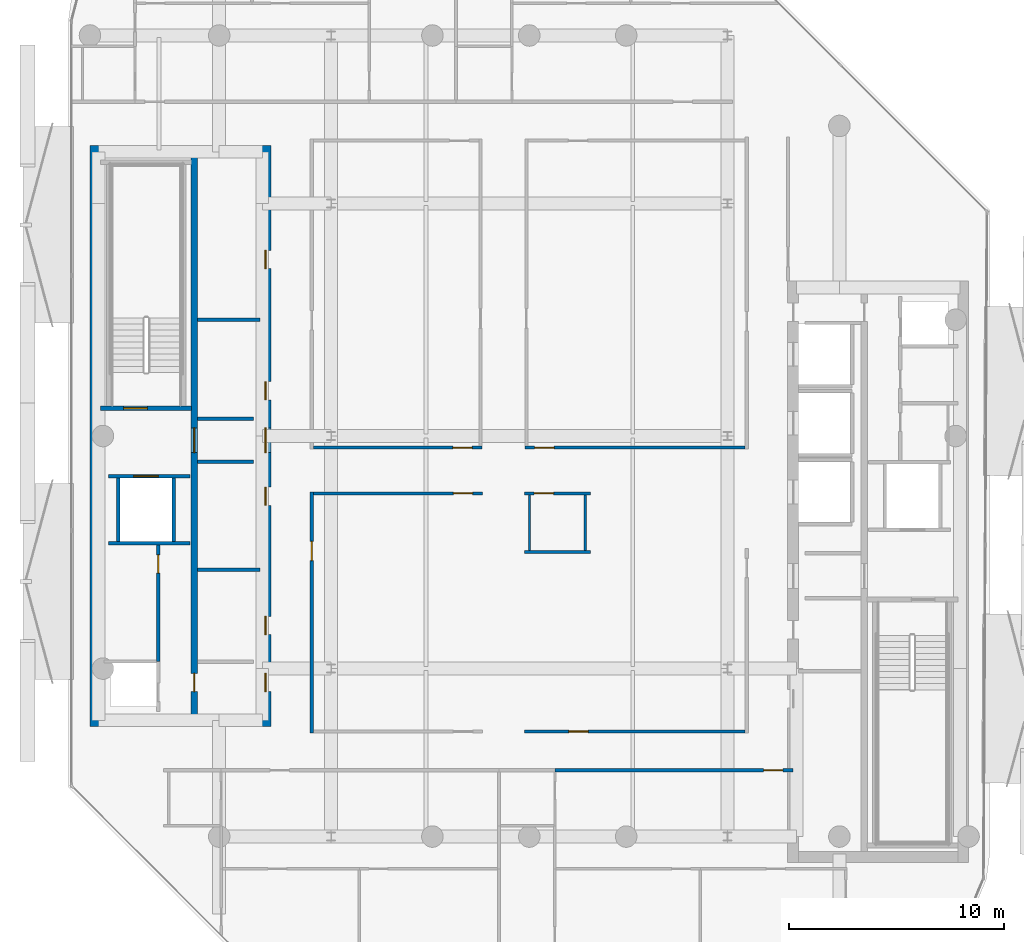
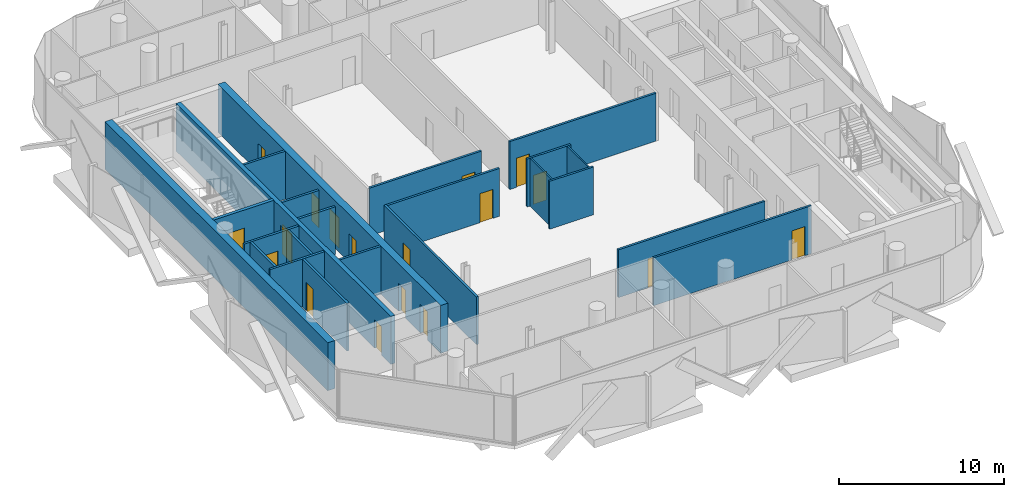
# One storey, part 5 of 16: 23 walls, 18 doors, 18 openings.
"""IFC4 building model written with IfcOpenShell, lengths in metres."""

from ifc_helpers import new_model, si_unit, direction, frame, frame_2d, origin, place, context, subcontext, project, spatial, rectangle, extrude, material, layer, layer_set, type_object, element, fill, save


model = new_model("IFC4")

# Units and contexts
model_context = context("Model", 3, precision=1e-05, world=origin(), true_north=direction((0.0, 1.0)))
body_context = subcontext(model_context, "Body", "Model", "MODEL_VIEW")
ifc_project = project(units=[si_unit("LENGTHUNIT", "METRE"), si_unit("AREAUNIT", "SQUARE_METRE"), si_unit("VOLUMEUNIT", "CUBIC_METRE"), si_unit("PLANEANGLEUNIT", "RADIAN"), si_unit("MASSUNIT", "GRAM", prefix="KILO")], contexts=[model_context])

# Site, building, storey
site_placement = place(None, origin())
site = spatial("IfcSite", under=ifc_project, at=site_placement, CompositionType="ELEMENT")
building_placement = place(site_placement, origin())
building = spatial("IfcBuilding", under=site, at=building_placement, Name="Khairoan Windgate Tower", CompositionType="ELEMENT")
storey_placement = place(building_placement, frame((0.0, 0.0, 300.39990234375)))
storey = spatial("IfcBuildingStorey", under=building, at=storey_placement, Name="L72", CompositionType="ELEMENT", Elevation=300.39990234375)

# Walls
ifc_material_1 = material(Name="Moisture-Resistant Gypsum Partition", Category="gypsum")
ifc_layer_1 = layer(ifc_material_1, 0.10009765625, Name="Moisture-Resistant Gypsum Partition")
ifc_layer_set_1 = layer_set([ifc_layer_1], Name="Moisture-Resistant Gypsum Partition")
wall_type_1 = type_object("IfcWallType", Name="Bathroom Wet-Area Partition Wall", PredefinedType="PARTITIONING", material=ifc_layer_set_1)
for number, where, z_axis, x_axis, name in (
    (1, (2.60009765625, -2.739990234375, 0.0), (0.0, 0.0, 1.0), (0.0, -1.0, 0.0), "L72 Wet Room Side Wall 076"),
    (2, (0.010009765625, -5.31005859375, 0.0), (0.0, 0.0, 1.0), (0.0, 1.0, 0.0), "L72 Wet Room Side Wall 077"),
):
    element("IfcWall", number, at=place(storey_placement, frame(where, z_axis=z_axis, x_axis=x_axis)), inside=storey, type_object=wall_type_1, Name=name, PredefinedType="PARTITIONING", context=body_context, shape_type="SweptSolid", body=[
        extrude(rectangle(XDim=2.570068359375, YDim=0.10009765625, at=frame_2d((1.28515625, 0.0))), origin(), (0.0, 0.0, 1.0), 3.5400390625),
    ])

# Wall, opening, door
ifc_material_2 = material(Name="Concrete C40/50", Category="concrete")
ifc_layer_2 = layer(ifc_material_2, 0.159912109375, Name="Concrete C40/50")
ifc_layer_set_2 = layer_set([ifc_layer_2], Name="Concrete C40/50")
wall_type_2 = type_object("IfcWallType", Name="Core and Hoistway Enclosure Wall", PredefinedType="STANDARD", material=ifc_layer_set_2)
wall_1_placement = place(storey_placement, frame((-19.550048828125, -1.860107421875, 0.0), z_axis=(0.0, 0.0, 1.0), x_axis=(1.0, 0.0, 0.0)))
wall_1 = element("IfcWall", 3, at=wall_1_placement, inside=storey, type_object=wall_type_2, Name="L72 Core Shaft Wall SW-FL2-L72", PredefinedType="STANDARD", context=body_context, shape_type="SweptSolid", body=[
    extrude(rectangle(XDim=3.800048828125, YDim=0.159912109375, at=frame_2d((1.89990234375, 0.0))), origin(), (0.0, 0.0, 1.0), 3.5400390625),
])
opening_1_placement = place(wall_1_placement, frame((1.179931640625, 0.0, 0.0)))
opening_1 = element("IfcOpeningElement", 4, at=opening_1_placement, cuts=wall_1, Name="Opening LD-FL", PredefinedType="OPENING", context=body_context, shape_type="SweptSolid", body=[
    extrude(rectangle(XDim=1.14990234375, YDim=2.199951171875, at=frame_2d((0.574951171875, 1.10009765625))), frame((0.0, 0.08984375, 0.0), z_axis=(0.0, -1.0, 0.0), x_axis=(1.0, 0.0, 0.0)), (0.0, 0.0, 1.0), 0.179931640625),
])
ifc_material_3 = material(Name="Steel S355", Category="steel")
door_type_1 = type_object("IfcDoorType", Name="Firefighting Lift Sliding Landing Door LD-FL 1150x2200", OperationType="DOUBLE_DOOR_SLIDING", PredefinedType="DOOR", material=ifc_material_3)
door_1_placement = place(opening_1_placement, origin())
door_1 = element("IfcDoor", 5, at=door_1_placement, inside=storey, type_object=door_type_1, Name="L72 Firefighting Lift FL2 Landing Door", OperationType="DOUBLE_DOOR_SLIDING", OverallHeight=2.199951171875, OverallWidth=1.14990234375, PredefinedType="DOOR", context=body_context, shape_type="SweptSolid", body=[
    extrude(rectangle(XDim=1.14990234375, YDim=2.199951171875, at=frame_2d((0.574951171875, 1.10009765625))), frame((0.0, 0.02490234375, 0.0), z_axis=(0.0, -1.0, 0.0), x_axis=(1.0, 0.0, 0.0)), (0.0, 0.0, 1.0), 0.050048828125),
])
fill(opening_1, door_1)

# Walls
wall_2_placement = place(storey_placement, frame((-19.550048828125, -4.97998046875, 0.0), z_axis=(0.0, 0.0, 1.0), x_axis=(1.0, 0.0, 0.0)))
element("IfcWall", 6, at=wall_2_placement, inside=storey, type_object=wall_type_2, Name="L72 Core Shaft Wall SW-FL2B-L72", PredefinedType="STANDARD", context=body_context, shape_type="SweptSolid", body=[
    extrude(rectangle(XDim=3.800048828125, YDim=0.159912109375, at=frame_2d((1.89990234375, 0.0))), origin(), (0.0, 0.0, 1.0), 3.5400390625),
])
for number, where, z_axis, x_axis, name in (
    (7, (-19.080078125, -4.89990234375, 0.0), (0.0, 0.0, 1.0), (0.0, 1.0, 0.0), "L72 Core Shaft Wall SW-FL2W-L72"),
    (8, (-16.52001953125, -4.89990234375, 0.0), (0.0, 0.0, 1.0), (0.0, 1.0, 0.0), "L72 Core Shaft Wall SW-FL2E-L72"),
):
    element("IfcWall", number, at=place(storey_placement, frame(where, z_axis=z_axis, x_axis=x_axis)), inside=storey, type_object=wall_type_2, Name=name, PredefinedType="STANDARD", context=body_context, shape_type="SweptSolid", body=[
        extrude(rectangle(XDim=2.9599609375, YDim=0.159912109375, at=frame_2d((1.47998046875, 0.0))), origin(), (0.0, 0.0, 1.0), 3.5400390625),
    ])
for number, where, z_axis, x_axis, name in (
    (9, (-15.39990234375, 0.800048828125, 0.0), (0.0, 0.0, 1.0), (1.0, 0.0, 0.0), "L72 Core Shaft Wall SW-WV1-L72"),
    (10, (-15.39990234375, -1.199951171875, 0.0), (0.0, 0.0, 1.0), (1.0, 0.0, 0.0), "L72 Core Shaft Wall SW-WV2-L72"),
):
    element("IfcWall", number, at=place(storey_placement, frame(where, z_axis=z_axis, x_axis=x_axis)), inside=storey, type_object=wall_type_2, Name=name, PredefinedType="STANDARD", context=body_context, shape_type="SweptSolid", body=[
        extrude(rectangle(XDim=2.599853515625, YDim=0.159912109375, at=frame_2d((1.2998046875, 0.0))), origin(), (0.0, 0.0, 1.0), 3.5400390625),
    ])
ifc_material_4 = material(Name="Acoustic Fire-Rated Gypsum Partition", Category="gypsum")
ifc_layer_3 = layer(ifc_material_4, 0.139892578125, Name="Acoustic Fire-Rated Gypsum Partition")
ifc_layer_set_3 = layer_set([ifc_layer_3], Name="Acoustic Fire-Rated Gypsum Partition")
wall_type_3 = type_object("IfcWallType", Name="Inter-Tenancy Compartment Wall", PredefinedType="PARTITIONING", material=ifc_layer_set_3)
wall_3_placement = place(storey_placement, frame((-0.22998046875, -5.3798828125, 0.0), z_axis=(0.0, 0.0, 1.0), x_axis=(1.0, 0.0, 0.0)))
element("IfcWall", 11, at=wall_3_placement, inside=storey, type_object=wall_type_3, Name="L72 Interior Partition 072", PredefinedType="PARTITIONING", context=body_context, shape_type="SweptSolid", body=[
    extrude(rectangle(XDim=3.070068359375, YDim=0.139892578125, at=frame_2d((1.53515625, 0.0))), origin(), (0.0, 0.0, 1.0), 3.5400390625),
])

# Wall, opening, door
ifc_material_5 = material(Name="Concrete C40/50", Category="concrete")
ifc_layer_4 = layer(ifc_material_5, 0.159912109375, Name="Concrete C40/50")
ifc_layer_set_4 = layer_set([ifc_layer_4], Name="Concrete C40/50")
wall_type_4 = type_object("IfcWallType", Name="Plant and Refuge Compartment Wall", PredefinedType="PARTITIONING", material=ifc_layer_set_4)
wall_4_placement = place(storey_placement, frame((-17.22998046875, -10.469970703125, 0.0), z_axis=(0.0, 0.0, 1.0), x_axis=(0.0, 1.0, 0.0)))
wall_4 = element("IfcWall", 12, at=wall_4_placement, inside=storey, type_object=wall_type_4, Name="L72 Interior Partition 002", PredefinedType="PARTITIONING", context=body_context, shape_type="SweptSolid", body=[
    extrude(rectangle(XDim=5.409912109375, YDim=0.159912109375, at=frame_2d((2.705078125, 0.0))), origin(), (0.0, 0.0, 1.0), 3.5400390625),
])
opening_2_placement = place(wall_4_placement, frame((4.10009765625, 0.0, 0.0)))
opening_2 = element("IfcOpeningElement", 13, at=opening_2_placement, cuts=wall_4, Name="Opening FD-SRV", PredefinedType="OPENING", context=body_context, shape_type="SweptSolid", body=[
    extrude(rectangle(XDim=0.85009765625, YDim=2.10009765625, at=frame_2d((0.425048828125, 1.050048828125))), frame((0.0, 0.08984375, 0.0), z_axis=(0.0, -1.0, 0.0), x_axis=(1.0, 0.0, 0.0)), (0.0, 0.0, 1.0), 0.179931640625),
])
ifc_material_6 = material(Name="Steel S355", Category="steel")
door_type_2 = type_object("IfcDoorType", Name="Core Service and Riser Fire Door FD-SRV 850x2100", OperationType="NOTDEFINED", PredefinedType="DOOR", material=ifc_material_6)
door_2_placement = place(opening_2_placement, origin())
door_2 = element("IfcDoor", 14, at=door_2_placement, inside=storey, type_object=door_type_2, Name="L72 L72-04-L72-06 Door", OperationType="SINGLE_SWING_LEFT", OverallHeight=2.10009765625, OverallWidth=0.85009765625, PredefinedType="DOOR", context=body_context, shape_type="SweptSolid", body=[
    extrude(rectangle(XDim=0.85009765625, YDim=2.10009765625, at=frame_2d((0.425048828125, 1.050048828125))), frame((0.0, 0.02490234375, 0.0), z_axis=(0.0, -1.0, 0.0), x_axis=(1.0, 0.0, 0.0)), (0.0, 0.0, 1.0), 0.050048828125),
])
fill(opening_2, door_2)

# Walls
for number, where, z_axis, x_axis, name in (
    (15, (-15.39990234375, 5.39990234375, 0.0), (0.0, 0.0, 1.0), (1.0, 0.0, 0.0), "L72 Interior Partition 004"),
    (16, (-15.39990234375, -6.199951171875, 0.0), (0.0, 0.0, 1.0), (1.0, 0.0, 0.0), "L72 Interior Partition 005"),
):
    element("IfcWall", number, at=place(storey_placement, frame(where, z_axis=z_axis, x_axis=x_axis)), inside=storey, type_object=wall_type_4, Name=name, PredefinedType="PARTITIONING", context=body_context, shape_type="SweptSolid", body=[
        extrude(rectangle(XDim=2.89990234375, YDim=0.159912109375, at=frame_2d((1.449951171875, 0.0))), origin(), (0.0, 0.0, 1.0), 3.5400390625),
    ])

# Wall, opening, door
ifc_material_7 = material(Name="Acoustic Fire-Rated Gypsum Partition", Category="gypsum")
ifc_layer_5 = layer(ifc_material_7, 0.14990234375, Name="Acoustic Fire-Rated Gypsum Partition")
ifc_layer_set_5 = layer_set([ifc_layer_5], Name="Acoustic Fire-Rated Gypsum Partition")
wall_type_5 = type_object("IfcWallType", Name="Rated Corridor Partition Wall", PredefinedType="PARTITIONING", material=ifc_layer_set_5)
wall_5_placement = place(storey_placement, frame((-10.10009765625, -13.794921875, 0.0), z_axis=(0.0, 0.0, 1.0), x_axis=(0.0, 1.0, 0.0)))
wall_5 = element("IfcWall", 17, at=wall_5_placement, inside=storey, type_object=wall_type_5, Name="L72 Interior Partition 013", PredefinedType="PARTITIONING", context=body_context, shape_type="SweptSolid", body=[
    extrude(rectangle(XDim=11.204833984375, YDim=0.14990234375, at=frame_2d((5.6025390625, 0.0))), origin(), (0.0, 0.0, 1.0), 3.5400390625),
])
opening_3_placement = place(wall_5_placement, frame((8.0087890625, 0.0, 0.0)))
opening_3 = element("IfcOpeningElement", 18, at=opening_3_placement, cuts=wall_5, Name="Opening FD-ENT", PredefinedType="OPENING", context=body_context, shape_type="SweptSolid", body=[
    extrude(rectangle(XDim=0.89990234375, YDim=2.14990234375, at=frame_2d((0.449951171875, 1.074951171875))), frame((0.0, 0.0849609375, 0.0), z_axis=(0.0, -1.0, 0.0), x_axis=(1.0, 0.0, 0.0)), (0.0, 0.0, 1.0), 0.169921875),
])
ifc_material_8 = material(Name="Timber Fire-Rated Core", Category="wood")
door_type_3 = type_object("IfcDoorType", Name="Unit and Office Fire Entrance Door FD-ENT 900x2150", OperationType="NOTDEFINED", PredefinedType="DOOR", material=ifc_material_8)
door_3_placement = place(opening_3_placement, origin())
door_3 = element("IfcDoor", 19, at=door_3_placement, inside=storey, type_object=door_type_3, Name="L72 L72-27-L72-57 Door", OperationType="SINGLE_SWING_RIGHT", OverallHeight=2.14990234375, OverallWidth=0.89990234375, PredefinedType="DOOR", context=body_context, shape_type="SweptSolid", body=[
    extrude(rectangle(XDim=0.89990234375, YDim=2.14990234375, at=frame_2d((0.449951171875, 1.074951171875))), frame((0.0, 0.02490234375, 0.0), z_axis=(0.0, -1.0, 0.0), x_axis=(1.0, 0.0, 0.0)), (0.0, 0.0, 1.0), 0.050048828125),
])
fill(opening_3, door_3)

wall_6_placement = place(storey_placement, frame((-10.02490234375, -0.534912109375, 0.0), z_axis=(0.0, 0.0, 1.0), x_axis=(1.0, 0.0, 0.0)))
wall_6 = element("IfcWall", 20, at=wall_6_placement, inside=storey, type_object=wall_type_5, Name="L72 Interior Partition 017", PredefinedType="PARTITIONING", context=body_context, shape_type="SweptSolid", body=[
    extrude(rectangle(XDim=7.8349609375, YDim=0.14990234375, at=frame_2d((3.91748046875, 0.0))), origin(), (0.0, 0.0, 1.0), 3.5400390625),
])
opening_4_placement = place(wall_6_placement, frame((6.47509765625, 0.0, 0.0)))
opening_4 = element("IfcOpeningElement", 21, at=opening_4_placement, cuts=wall_6, Name="Opening FD-ENT", PredefinedType="OPENING", context=body_context, shape_type="SweptSolid", body=[
    extrude(rectangle(XDim=0.89990234375, YDim=2.14990234375, at=frame_2d((0.449951171875, 1.074951171875))), frame((0.0, 0.0849609375, 0.0), z_axis=(0.0, -1.0, 0.0), x_axis=(1.0, 0.0, 0.0)), (0.0, 0.0, 1.0), 0.169921875),
])
door_4_placement = place(opening_4_placement, origin())
door_4 = element("IfcDoor", 22, at=door_4_placement, inside=storey, type_object=door_type_3, Name="L72 L72-29-L72-56 Door", OperationType="SINGLE_SWING_RIGHT", OverallHeight=2.14990234375, OverallWidth=0.89990234375, PredefinedType="DOOR", context=body_context, shape_type="SweptSolid", body=[
    extrude(rectangle(XDim=0.89990234375, YDim=2.14990234375, at=frame_2d((0.449951171875, 1.074951171875))), frame((0.0, 0.02490234375, 0.0), z_axis=(0.0, -1.0, 0.0), x_axis=(1.0, 0.0, 0.0)), (0.0, 0.0, 1.0), 0.050048828125),
])
fill(opening_4, door_4)

wall_7_placement = place(storey_placement, frame((-10.02490234375, -2.6650390625, 0.0), z_axis=(0.0, 0.0, 1.0), x_axis=(1.0, 0.0, 0.0)))
wall_7 = element("IfcWall", 23, at=wall_7_placement, inside=storey, type_object=wall_type_5, Name="L72 Interior Partition 018", PredefinedType="PARTITIONING", context=body_context, shape_type="SweptSolid", body=[
    extrude(rectangle(XDim=7.85498046875, YDim=0.14990234375, at=frame_2d((3.927490234375, 0.0))), origin(), (0.0, 0.0, 1.0), 3.5400390625),
])
opening_5_placement = place(wall_7_placement, frame((6.4951171875, 0.0, 0.0)))
opening_5 = element("IfcOpeningElement", 24, at=opening_5_placement, cuts=wall_7, Name="Opening FD-ENT", PredefinedType="OPENING", context=body_context, shape_type="SweptSolid", body=[
    extrude(rectangle(XDim=0.89990234375, YDim=2.14990234375, at=frame_2d((0.449951171875, 1.074951171875))), frame((0.0, 0.0849609375, 0.0), z_axis=(0.0, -1.0, 0.0), x_axis=(1.0, 0.0, 0.0)), (0.0, 0.0, 1.0), 0.169921875),
])
door_5_placement = place(opening_5_placement, origin())
door_5 = element("IfcDoor", 25, at=door_5_placement, inside=storey, type_object=door_type_3, Name="L72 L72-29-L72-57 Door", OperationType="SINGLE_SWING_LEFT", OverallHeight=2.14990234375, OverallWidth=0.89990234375, PredefinedType="DOOR", context=body_context, shape_type="SweptSolid", body=[
    extrude(rectangle(XDim=0.89990234375, YDim=2.14990234375, at=frame_2d((0.449951171875, 1.074951171875))), frame((0.0, 0.02490234375, 0.0), z_axis=(0.0, -1.0, 0.0), x_axis=(1.0, 0.0, 0.0)), (0.0, 0.0, 1.0), 0.050048828125),
])
fill(opening_5, door_5)

wall_8_placement = place(storey_placement, frame((-0.2099609375, -0.534912109375, 0.0), z_axis=(0.0, 0.0, 1.0), x_axis=(1.0, 0.0, 0.0)))
wall_8 = element("IfcWall", 26, at=wall_8_placement, inside=storey, type_object=wall_type_5, Name="L72 Interior Partition 019", PredefinedType="PARTITIONING", context=body_context, shape_type="SweptSolid", body=[
    extrude(rectangle(XDim=10.23486328125, YDim=0.14990234375, at=frame_2d((5.117431640625, 0.0))), origin(), (0.0, 0.0, 1.0), 3.5400390625),
])
opening_6_placement = place(wall_8_placement, frame((0.4599609375, 0.0, 0.0)))
opening_6 = element("IfcOpeningElement", 27, at=opening_6_placement, cuts=wall_8, Name="Opening FD-ENT", PredefinedType="OPENING", context=body_context, shape_type="SweptSolid", body=[
    extrude(rectangle(XDim=0.89990234375, YDim=2.14990234375, at=frame_2d((0.449951171875, 1.074951171875))), frame((0.0, 0.0849609375, 0.0), z_axis=(0.0, -1.0, 0.0), x_axis=(1.0, 0.0, 0.0)), (0.0, 0.0, 1.0), 0.169921875),
])
door_6_placement = place(opening_6_placement, origin())
door_6 = element("IfcDoor", 28, at=door_6_placement, inside=storey, type_object=door_type_3, Name="L72 L72-29-L72-58 Door", OperationType="SINGLE_SWING_RIGHT", OverallHeight=2.14990234375, OverallWidth=0.89990234375, PredefinedType="DOOR", context=body_context, shape_type="SweptSolid", body=[
    extrude(rectangle(XDim=0.89990234375, YDim=2.14990234375, at=frame_2d((0.449951171875, 1.074951171875))), frame((0.0, 0.02490234375, 0.0), z_axis=(0.0, -1.0, 0.0), x_axis=(1.0, 0.0, 0.0)), (0.0, 0.0, 1.0), 0.050048828125),
])
fill(opening_6, door_6)

wall_9_placement = place(storey_placement, frame((-0.22998046875, -2.6650390625, 0.0), z_axis=(0.0, 0.0, 1.0), x_axis=(1.0, 0.0, 0.0)))
wall_9 = element("IfcWall", 29, at=wall_9_placement, inside=storey, type_object=wall_type_5, Name="L72 Interior Partition 020", PredefinedType="PARTITIONING", context=body_context, shape_type="SweptSolid", body=[
    extrude(rectangle(XDim=3.070068359375, YDim=0.14990234375, at=frame_2d((1.53515625, 0.0))), origin(), (0.0, 0.0, 1.0), 3.5400390625),
])
opening_7_placement = place(wall_9_placement, frame((0.4599609375, 0.0, 0.0)))
opening_7 = element("IfcOpeningElement", 30, at=opening_7_placement, cuts=wall_9, Name="Opening FD-ENT", PredefinedType="OPENING", context=body_context, shape_type="SweptSolid", body=[
    extrude(rectangle(XDim=0.89990234375, YDim=2.14990234375, at=frame_2d((0.449951171875, 1.074951171875))), frame((0.0, 0.0849609375, 0.0), z_axis=(0.0, -1.0, 0.0), x_axis=(1.0, 0.0, 0.0)), (0.0, 0.0, 1.0), 0.169921875),
])
door_7_placement = place(opening_7_placement, origin())
door_7 = element("IfcDoor", 31, at=door_7_placement, inside=storey, type_object=door_type_3, Name="L72 L72-29-L72-59 Door", OperationType="SINGLE_SWING_LEFT", OverallHeight=2.14990234375, OverallWidth=0.89990234375, PredefinedType="DOOR", context=body_context, shape_type="SweptSolid", body=[
    extrude(rectangle(XDim=0.89990234375, YDim=2.14990234375, at=frame_2d((0.449951171875, 1.074951171875))), frame((0.0, 0.02490234375, 0.0), z_axis=(0.0, -1.0, 0.0), x_axis=(1.0, 0.0, 0.0)), (0.0, 0.0, 1.0), 0.050048828125),
])
fill(opening_7, door_7)

wall_10_placement = place(storey_placement, frame((1.18994140625, -15.52490234375, 0.0), z_axis=(0.0, 0.0, 1.0), x_axis=(1.0, 0.0, 0.0)))
wall_10 = element("IfcWall", 32, at=wall_10_placement, inside=storey, type_object=wall_type_5, Name="L72 Interior Partition 033", PredefinedType="PARTITIONING", context=body_context, shape_type="SweptSolid", body=[
    extrude(rectangle(XDim=11.050048828125, YDim=0.14990234375, at=frame_2d((5.52490234375, 0.0))), origin(), (0.0, 0.0, 1.0), 3.5400390625),
])
opening_8_placement = place(wall_10_placement, frame((9.68994140625, 0.0, 0.0)))
opening_8 = element("IfcOpeningElement", 33, at=opening_8_placement, cuts=wall_10, Name="Opening FD-ENT", PredefinedType="OPENING", context=body_context, shape_type="SweptSolid", body=[
    extrude(rectangle(XDim=0.89990234375, YDim=2.14990234375, at=frame_2d((0.449951171875, 1.074951171875))), frame((0.0, 0.0849609375, 0.0), z_axis=(0.0, -1.0, 0.0), x_axis=(1.0, 0.0, 0.0)), (0.0, 0.0, 1.0), 0.169921875),
])
door_8_placement = place(opening_8_placement, origin())
door_8 = element("IfcDoor", 34, at=door_8_placement, inside=storey, type_object=door_type_3, Name="L72 L72-32-L72-51 Door", OperationType="SINGLE_SWING_LEFT", OverallHeight=2.14990234375, OverallWidth=0.89990234375, PredefinedType="DOOR", context=body_context, shape_type="SweptSolid", body=[
    extrude(rectangle(XDim=0.89990234375, YDim=2.14990234375, at=frame_2d((0.449951171875, 1.074951171875))), frame((0.0, 0.02490234375, 0.0), z_axis=(0.0, -1.0, 0.0), x_axis=(1.0, 0.0, 0.0)), (0.0, 0.0, 1.0), 0.050048828125),
])
fill(opening_8, door_8)

wall_11_placement = place(storey_placement, frame((-0.22998046875, -13.719970703125, 0.0), z_axis=(0.0, 0.0, 1.0), x_axis=(1.0, 0.0, 0.0)))
wall_11 = element("IfcWall", 35, at=wall_11_placement, inside=storey, type_object=wall_type_5, Name="L72 Interior Partition 035", PredefinedType="PARTITIONING", context=body_context, shape_type="SweptSolid", body=[
    extrude(rectangle(XDim=10.2548828125, YDim=0.14990234375, at=frame_2d((5.12744140625, 0.0))), origin(), (0.0, 0.0, 1.0), 3.5400390625),
])
opening_9_placement = place(wall_11_placement, frame((2.066650390625, 0.0, 0.0)))
opening_9 = element("IfcOpeningElement", 36, at=opening_9_placement, cuts=wall_11, Name="Opening FD-ENT", PredefinedType="OPENING", context=body_context, shape_type="SweptSolid", body=[
    extrude(rectangle(XDim=0.89990234375, YDim=2.14990234375, at=frame_2d((0.449951171875, 1.074951171875))), frame((0.0, 0.0849609375, 0.0), z_axis=(0.0, -1.0, 0.0), x_axis=(1.0, 0.0, 0.0)), (0.0, 0.0, 1.0), 0.169921875),
])
door_9_placement = place(opening_9_placement, origin())
door_9 = element("IfcDoor", 37, at=door_9_placement, inside=storey, type_object=door_type_3, Name="L72 L72-32-L72-60 Door", OperationType="SINGLE_SWING_LEFT", OverallHeight=2.14990234375, OverallWidth=0.89990234375, PredefinedType="DOOR", context=body_context, shape_type="SweptSolid", body=[
    extrude(rectangle(XDim=0.89990234375, YDim=2.14990234375, at=frame_2d((0.449951171875, 1.074951171875))), frame((0.0, 0.02490234375, 0.0), z_axis=(0.0, -1.0, 0.0), x_axis=(1.0, 0.0, 0.0)), (0.0, 0.0, 1.0), 0.050048828125),
])
fill(opening_9, door_9)

# Wall
ifc_material_9 = material(Name="Concrete C50/60", Category="concrete")
ifc_layer_6 = layer(ifc_material_9, 0.5, Name="Concrete C50/60")
ifc_layer_set_6 = layer_set([ifc_layer_6], Name="Concrete C50/60")
wall_type_6 = type_object("IfcWallType", Name="Shear Wall CW-W3 500mm", PredefinedType="SHEAR", material=ifc_layer_set_6)
wall_12_placement = place(storey_placement, frame((-20.14990234375, -13.5, 0.0), z_axis=(0.0, 0.0, 1.0), x_axis=(0.0, 1.0, 0.0)))
element("IfcWall", 38, at=wall_12_placement, inside=storey, type_object=wall_type_6, Name="W Core West Shear Wall L72", PredefinedType="SHEAR", context=body_context, shape_type="SweptSolid", body=[
    extrude(rectangle(XDim=27.0, YDim=0.5, at=frame_2d((13.5, 0.0))), origin(), (0.0, 0.0, 1.0), 3.5400390625),
])

# Wall, openings, doors
wall_13_placement = place(storey_placement, frame((-12.25, -13.5, 0.0), z_axis=(0.0, 0.0, 1.0), x_axis=(0.0, 1.0, 0.0)))
wall_13 = element("IfcWall", 39, at=wall_13_placement, inside=storey, type_object=wall_type_6, Name="W Core East Shear Wall L72", PredefinedType="SHEAR", context=body_context, shape_type="SweptSolid", body=[
    extrude(rectangle(XDim=27.0, YDim=0.5, at=frame_2d((13.5, 0.0))), origin(), (0.0, 0.0, 1.0), 3.5400390625),
])
opening_10_placement = place(wall_13_placement, frame((15.175048828125, 0.0, 0.0)))
opening_10 = element("IfcOpeningElement", 40, at=opening_10_placement, cuts=wall_13, Name="Opening FD-SRV", PredefinedType="OPENING", context=body_context, shape_type="SweptSolid", body=[
    extrude(rectangle(XDim=0.85009765625, YDim=2.10009765625, at=frame_2d((0.425048828125, 1.050048828125))), frame((0.0, 0.260009765625, 0.0), z_axis=(0.0, -1.0, 0.0), x_axis=(1.0, 0.0, 0.0)), (0.0, 0.0, 1.0), 0.52001953125),
])
opening_11_placement = place(wall_13_placement, frame((21.27490234375, 0.0, 0.0)))
opening_11 = element("IfcOpeningElement", 41, at=opening_11_placement, cuts=wall_13, Name="Opening FD-SRV", PredefinedType="OPENING", context=body_context, shape_type="SweptSolid", body=[
    extrude(rectangle(XDim=0.85009765625, YDim=2.10009765625, at=frame_2d((0.425048828125, 1.050048828125))), frame((0.0, 0.260009765625, 0.0), z_axis=(0.0, -1.0, 0.0), x_axis=(1.0, 0.0, 0.0)), (0.0, 0.0, 1.0), 0.52001953125),
])
opening_12_placement = place(wall_13_placement, frame((4.27490234375, 0.0, 0.0)))
opening_12 = element("IfcOpeningElement", 42, at=opening_12_placement, cuts=wall_13, Name="Opening FD-SRV", PredefinedType="OPENING", context=body_context, shape_type="SweptSolid", body=[
    extrude(rectangle(XDim=0.85009765625, YDim=2.10009765625, at=frame_2d((0.425048828125, 1.050048828125))), frame((0.0, 0.260009765625, 0.0), z_axis=(0.0, -1.0, 0.0), x_axis=(1.0, 0.0, 0.0)), (0.0, 0.0, 1.0), 0.52001953125),
])
opening_13_placement = place(wall_13_placement, frame((10.27490234375, 0.0, 0.0)))
opening_13 = element("IfcOpeningElement", 43, at=opening_13_placement, cuts=wall_13, Name="Opening FD-SRV", PredefinedType="OPENING", context=body_context, shape_type="SweptSolid", body=[
    extrude(rectangle(XDim=0.85009765625, YDim=2.10009765625, at=frame_2d((0.425048828125, 1.050048828125))), frame((0.0, 0.260009765625, 0.0), z_axis=(0.0, -1.0, 0.0), x_axis=(1.0, 0.0, 0.0)), (0.0, 0.0, 1.0), 0.52001953125),
])
opening_14_placement = place(wall_13_placement, frame((12.72509765625, 0.0, 0.0)))
opening_14 = element("IfcOpeningElement", 44, at=opening_14_placement, cuts=wall_13, Name="Opening FD-FFL", PredefinedType="OPENING", context=body_context, shape_type="SweptSolid", body=[
    extrude(rectangle(XDim=1.14990234375, YDim=2.199951171875, at=frame_2d((0.574951171875, 1.10009765625))), frame((0.0, 0.260009765625, 0.0), z_axis=(0.0, -1.0, 0.0), x_axis=(1.0, 0.0, 0.0)), (0.0, 0.0, 1.0), 0.52001953125),
])
opening_15_placement = place(wall_13_placement, frame((1.625, 0.0, 0.0)))
opening_15 = element("IfcOpeningElement", 45, at=opening_15_placement, cuts=wall_13, Name="Opening FD-SRV", PredefinedType="OPENING", context=body_context, shape_type="SweptSolid", body=[
    extrude(rectangle(XDim=0.85009765625, YDim=2.10009765625, at=frame_2d((0.425048828125, 1.050048828125))), frame((0.0, 0.260009765625, 0.0), z_axis=(0.0, -1.0, 0.0), x_axis=(1.0, 0.0, 0.0)), (0.0, 0.0, 1.0), 0.52001953125),
])
door_10_placement = place(opening_10_placement, origin())
door_10 = element("IfcDoor", 46, at=door_10_placement, inside=storey, type_object=door_type_2, Name="L72 Upper Core Room Door B1-1", OperationType="SINGLE_SWING_RIGHT", OverallHeight=2.10009765625, OverallWidth=0.85009765625, PredefinedType="DOOR", context=body_context, shape_type="SweptSolid", body=[
    extrude(rectangle(XDim=0.85009765625, YDim=2.10009765625, at=frame_2d((0.425048828125, 1.050048828125))), frame((0.0, 0.02490234375, 0.0), z_axis=(0.0, -1.0, 0.0), x_axis=(1.0, 0.0, 0.0)), (0.0, 0.0, 1.0), 0.050048828125),
])
fill(opening_10, door_10)
door_11_placement = place(opening_11_placement, origin())
door_11 = element("IfcDoor", 47, at=door_11_placement, inside=storey, type_object=door_type_2, Name="L72 Upper Core Room Door B1-2", OperationType="SINGLE_SWING_LEFT", OverallHeight=2.10009765625, OverallWidth=0.85009765625, PredefinedType="DOOR", context=body_context, shape_type="SweptSolid", body=[
    extrude(rectangle(XDim=0.85009765625, YDim=2.10009765625, at=frame_2d((0.425048828125, 1.050048828125))), frame((0.0, 0.02490234375, 0.0), z_axis=(0.0, -1.0, 0.0), x_axis=(1.0, 0.0, 0.0)), (0.0, 0.0, 1.0), 0.050048828125),
])
fill(opening_11, door_11)
door_12_placement = place(opening_12_placement, origin())
door_12 = element("IfcDoor", 48, at=door_12_placement, inside=storey, type_object=door_type_2, Name="L72 Upper Core Room Door B2-1", OperationType="SINGLE_SWING_RIGHT", OverallHeight=2.10009765625, OverallWidth=0.85009765625, PredefinedType="DOOR", context=body_context, shape_type="SweptSolid", body=[
    extrude(rectangle(XDim=0.85009765625, YDim=2.10009765625, at=frame_2d((0.425048828125, 1.050048828125))), frame((0.0, 0.02490234375, 0.0), z_axis=(0.0, -1.0, 0.0), x_axis=(1.0, 0.0, 0.0)), (0.0, 0.0, 1.0), 0.050048828125),
])
fill(opening_12, door_12)
door_13_placement = place(opening_13_placement, origin())
door_13 = element("IfcDoor", 49, at=door_13_placement, inside=storey, type_object=door_type_2, Name="L72 Upper Core Room Door B2-2", OperationType="SINGLE_SWING_LEFT", OverallHeight=2.10009765625, OverallWidth=0.85009765625, PredefinedType="DOOR", context=body_context, shape_type="SweptSolid", body=[
    extrude(rectangle(XDim=0.85009765625, YDim=2.10009765625, at=frame_2d((0.425048828125, 1.050048828125))), frame((0.0, 0.02490234375, 0.0), z_axis=(0.0, -1.0, 0.0), x_axis=(1.0, 0.0, 0.0)), (0.0, 0.0, 1.0), 0.050048828125),
])
fill(opening_13, door_13)
door_14_placement = place(opening_15_placement, origin())
door_14 = element("IfcDoor", 50, at=door_14_placement, inside=storey, type_object=door_type_2, Name="L72 West Core Service Vestibule Outer Door", OperationType="SINGLE_SWING_RIGHT", OverallHeight=2.10009765625, OverallWidth=0.85009765625, PredefinedType="DOOR", context=body_context, shape_type="SweptSolid", body=[
    extrude(rectangle(XDim=0.85009765625, YDim=2.10009765625, at=frame_2d((0.425048828125, 1.050048828125))), frame((0.0, 0.02490234375, 0.0), z_axis=(0.0, -1.0, 0.0), x_axis=(1.0, 0.0, 0.0)), (0.0, 0.0, 1.0), 0.050048828125),
])
fill(opening_15, door_14)
ifc_material_10 = material(Name="Steel S355", Category="steel")
door_type_4 = type_object("IfcDoorType", Name="Firefighting Lobby Fire Door FD-FFL 1150x2200", OperationType="NOTDEFINED", PredefinedType="DOOR", material=ifc_material_10)
door_15_placement = place(opening_14_placement, origin())
door_15 = element("IfcDoor", 51, at=door_15_placement, inside=storey, type_object=door_type_4, Name="L72 West Core Vestibule Entry Door", OperationType="SINGLE_SWING_RIGHT", OverallHeight=2.199951171875, OverallWidth=1.14990234375, PredefinedType="DOOR", context=body_context, shape_type="SweptSolid", body=[
    extrude(rectangle(XDim=1.14990234375, YDim=2.199951171875, at=frame_2d((0.574951171875, 1.10009765625))), frame((0.0, 0.02490234375, 0.0), z_axis=(0.0, -1.0, 0.0), x_axis=(1.0, 0.0, 0.0)), (0.0, 0.0, 1.0), 0.050048828125),
])
fill(opening_14, door_15)

ifc_material_11 = material(Name="Concrete C50/60", Category="concrete")
ifc_layer_7 = layer(ifc_material_11, 0.300048828125, Name="Concrete C50/60")
ifc_layer_set_7 = layer_set([ifc_layer_7], Name="Concrete C50/60")
wall_type_7 = type_object("IfcWallType", Name="Shear Wall SW-2 300mm", PredefinedType="SHEAR", material=ifc_layer_set_7)
wall_14_placement = place(storey_placement, frame((-15.550048828125, -13.0, 0.0), z_axis=(0.0, 0.0, 1.0), x_axis=(0.0, 1.0, 0.0)))
wall_14 = element("IfcWall", 52, at=wall_14_placement, inside=storey, type_object=wall_type_7, Name="W Core Spine Shear Wall L72", PredefinedType="SHEAR", context=body_context, shape_type="SweptSolid", body=[
    extrude(rectangle(XDim=26.0, YDim=0.300048828125, at=frame_2d((13.0, 0.0))), origin(), (0.0, 0.0, 1.0), 3.5400390625),
])
opening_16_placement = place(wall_14_placement, frame((12.22509765625, 0.0, 0.0)))
opening_16 = element("IfcOpeningElement", 53, at=opening_16_placement, cuts=wall_14, Name="Opening FD-FFL", PredefinedType="OPENING", context=body_context, shape_type="SweptSolid", body=[
    extrude(rectangle(XDim=1.14990234375, YDim=2.199951171875, at=frame_2d((0.574951171875, 1.10009765625))), frame((0.0, 0.159912109375, 0.0), z_axis=(0.0, -1.0, 0.0), x_axis=(1.0, 0.0, 0.0)), (0.0, 0.0, 1.0), 0.320068359375),
])
opening_17_placement = place(wall_14_placement, frame((1.125, 0.0, 0.0)))
opening_17 = element("IfcOpeningElement", 54, at=opening_17_placement, cuts=wall_14, Name="Opening FD-SRV", PredefinedType="OPENING", context=body_context, shape_type="SweptSolid", body=[
    extrude(rectangle(XDim=0.85009765625, YDim=2.10009765625, at=frame_2d((0.425048828125, 1.050048828125))), frame((0.0, 0.159912109375, 0.0), z_axis=(0.0, -1.0, 0.0), x_axis=(1.0, 0.0, 0.0)), (0.0, 0.0, 1.0), 0.320068359375),
])
door_16_placement = place(opening_17_placement, origin())
door_16 = element("IfcDoor", 55, at=door_16_placement, inside=storey, type_object=door_type_2, Name="L72 West Core Service Passage Inner Door", OperationType="SINGLE_SWING_LEFT", OverallHeight=2.10009765625, OverallWidth=0.85009765625, PredefinedType="DOOR", context=body_context, shape_type="SweptSolid", body=[
    extrude(rectangle(XDim=0.85009765625, YDim=2.10009765625, at=frame_2d((0.425048828125, 1.050048828125))), frame((0.0, 0.02490234375, 0.0), z_axis=(0.0, -1.0, 0.0), x_axis=(1.0, 0.0, 0.0)), (0.0, 0.0, 1.0), 0.050048828125),
])
fill(opening_17, door_16)
door_17_placement = place(opening_16_placement, origin())
door_17 = element("IfcDoor", 56, at=door_17_placement, inside=storey, type_object=door_type_4, Name="L72 West Firefighting Lobby Fire Door", OperationType="SINGLE_SWING_LEFT", OverallHeight=2.199951171875, OverallWidth=1.14990234375, PredefinedType="DOOR", context=body_context, shape_type="SweptSolid", body=[
    extrude(rectangle(XDim=1.14990234375, YDim=2.199951171875, at=frame_2d((0.574951171875, 1.10009765625))), frame((0.0, 0.02490234375, 0.0), z_axis=(0.0, -1.0, 0.0), x_axis=(1.0, 0.0, 0.0)), (0.0, 0.0, 1.0), 0.050048828125),
])
fill(opening_16, door_17)

# Wall, opening, door
ifc_material_12 = material(Name="Concrete C50/60", Category="concrete")
ifc_layer_8 = layer(ifc_material_12, 0.219970703125, Name="Concrete C50/60")
ifc_layer_set_8 = layer_set([ifc_layer_8], Name="Concrete C50/60")
wall_type_8 = type_object("IfcWallType", Name="Shear Wall SW-ST 220mm", PredefinedType="SHEAR", material=ifc_layer_set_8)
wall_15_placement = place(storey_placement, frame((-19.919921875, 1.2900390625, 0.0), z_axis=(0.0, 0.0, 1.0), x_axis=(1.0, 0.0, 0.0)))
wall_15 = element("IfcWall", 57, at=wall_15_placement, inside=storey, type_object=wall_type_8, Name="L72 Stair ST2 South Bearing Wall", PredefinedType="SHEAR", context=body_context, shape_type="SweptSolid", body=[
    extrude(rectangle(XDim=4.239990234375, YDim=0.219970703125, at=frame_2d((2.1201171875, 0.0))), origin(), (0.0, 0.0, 1.0), 3.5400390625),
])
opening_18_placement = place(wall_15_placement, frame((1.080078125, 0.0, 0.0)))
opening_18 = element("IfcOpeningElement", 58, at=opening_18_placement, cuts=wall_15, Name="Opening FD-ST", PredefinedType="OPENING", context=body_context, shape_type="SweptSolid", body=[
    extrude(rectangle(XDim=1.10009765625, YDim=2.199951171875, at=frame_2d((0.550048828125, 1.10009765625))), frame((0.0, 0.119873046875, 0.0), z_axis=(0.0, -1.0, 0.0), x_axis=(1.0, 0.0, 0.0)), (0.0, 0.0, 1.0), 0.239990234375),
])
ifc_material_13 = material(Name="Steel S355", Category="steel")
door_type_5 = type_object("IfcDoorType", Name="Smokeproof Stair Fire Door FD-ST 1100x2200", OperationType="NOTDEFINED", PredefinedType="DOOR", material=ifc_material_13)
door_18_placement = place(opening_18_placement, origin())
door_18 = element("IfcDoor", 59, at=door_18_placement, inside=storey, type_object=door_type_5, Name="L72 Stair ST2 Fire Door", OperationType="SINGLE_SWING_LEFT", OverallHeight=2.199951171875, OverallWidth=1.10009765625, PredefinedType="DOOR", context=body_context, shape_type="SweptSolid", body=[
    extrude(rectangle(XDim=1.10009765625, YDim=2.199951171875, at=frame_2d((0.550048828125, 1.10009765625))), frame((0.0, 0.02490234375, 0.0), z_axis=(0.0, -1.0, 0.0), x_axis=(1.0, 0.0, 0.0)), (0.0, 0.0, 1.0), 0.050048828125),
])
fill(opening_18, door_18)

save(model, "model.ifc")
